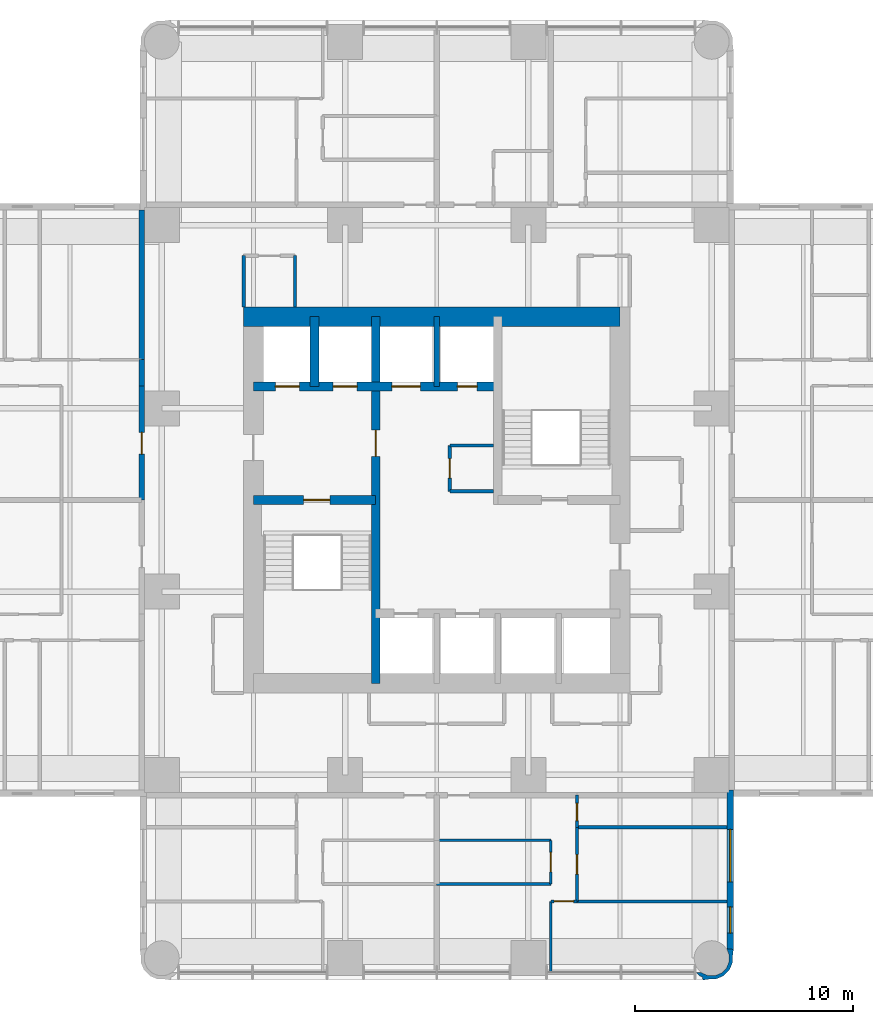
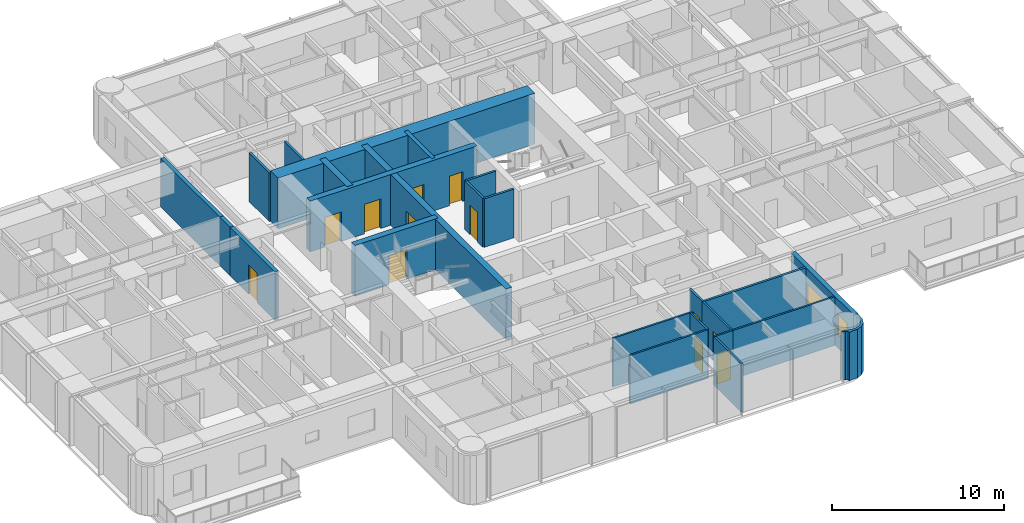
# One storey, part 8 of 15: 25 walls, 12 doors, 2 windows, 14 openings.
"""IFC4 building model written with IfcOpenShell, lengths in metres."""

from ifc_helpers import new_model, si_unit, direction, frame, frame_2d, origin, place, context, subcontext, project, spatial, polyline, rectangle, outline, extrude, material, layer, layer_set, type_object, element, fill, save


model = new_model("IFC4")

# Units and contexts
model_context = context("Model", 3, precision=1e-05, world=origin(), true_north=direction((0.0, 1.0)))
body_context = subcontext(model_context, "Body", "Model", "MODEL_VIEW")
ifc_project = project(units=[si_unit("LENGTHUNIT", "METRE"), si_unit("AREAUNIT", "SQUARE_METRE"), si_unit("VOLUMEUNIT", "CUBIC_METRE"), si_unit("PLANEANGLEUNIT", "RADIAN"), si_unit("MASSUNIT", "GRAM", prefix="KILO")], contexts=[model_context])

# Site, building, storey
site_placement = place(None, origin())
site = spatial("IfcSite", under=ifc_project, at=site_placement, CompositionType="ELEMENT")
building_placement = place(site_placement, origin())
building = spatial("IfcBuilding", under=site, at=building_placement, Name="Torre Alcanfor", CompositionType="ELEMENT")
storey_placement = place(building_placement, frame((0.0, 0.0, 152.10009765625)))
storey = spatial("IfcBuildingStorey", under=building, at=storey_placement, Name="L39", CompositionType="ELEMENT", Elevation=152.10009765625)

# Wall, opening, door
ifc_material_1 = material(Name="Concrete block masonry, hollow blocks NMX-C-404 9 MPa", Category="masonry")
ifc_layer_1 = layer(ifc_material_1, 0.25)
ifc_layer_set_1 = layer_set([ifc_layer_1], Name="Apartment entrance wall 250 EI 60")
wall_type_1 = type_object("IfcWallType", Name="Apartment entrance wall 250 EI 60", PredefinedType="PARTITIONING", material=ifc_layer_set_1)
wall_1_placement = place(storey_placement, frame((15.875, 29.39990234375, 0.0), z_axis=(0.0, 0.0, 1.0), x_axis=(0.0, 1.0, 0.0)))
wall_1 = element("IfcWall", 1, at=wall_1_placement, inside=storey, type_object=wall_type_1, Name="Partition L39-CORR / L39-W2-ZAG", PredefinedType="PARTITIONING", context=body_context, shape_type="SweptSolid", body=[
    extrude(rectangle(XDim=5.22900390625, YDim=0.25, at=frame_2d((2.614501953125, 0.0))), origin(), (0.0, 0.0, 1.0), 3.449951171875),
])
opening_1_placement = place(wall_1_placement, frame((2.10009765625, 0.0, 0.0)))
opening_1 = element("IfcOpeningElement", 2, at=opening_1_placement, cuts=wall_1, Name="Opening D-A1", PredefinedType="OPENING", context=body_context, shape_type="SweptSolid", body=[
    extrude(rectangle(XDim=1.0, YDim=2.10009765625, at=frame_2d((0.5, 1.050048828125))), frame((0.0, 0.135009765625, 0.0), z_axis=(0.0, -1.0, 0.0), x_axis=(1.0, 0.0, 0.0)), (0.0, 0.0, 1.0), 0.27001953125),
])
ifc_material_2 = material(Name="Galvanised steel sheet ASTM A653", Category="steel")
door_type_1 = type_object("IfcDoorType", Name="Apartment entrance door FD60 1000x2100", OperationType="SINGLE_SWING_LEFT", PredefinedType="DOOR", material=ifc_material_2)
door_1_placement = place(opening_1_placement, origin())
door_1 = element("IfcDoor", 3, at=door_1_placement, inside=storey, type_object=door_type_1, Name="Apartment entrance L39-W2", OperationType="SINGLE_SWING_LEFT", OverallHeight=2.10009765625, OverallWidth=1.0, PredefinedType="DOOR", context=body_context, shape_type="SweptSolid", body=[
    extrude(rectangle(XDim=1.0, YDim=2.10009765625, at=frame_2d((0.5, 1.050048828125))), frame((0.0, 0.02490234375, 0.0), z_axis=(0.0, -1.0, 0.0), x_axis=(1.0, 0.0, 0.0)), (0.0, 0.0, 1.0), 0.050048828125),
])
fill(opening_1, door_1)

# Walls
wall_2_placement = place(storey_placement, frame((15.875, 34.62890625, 0.0), z_axis=(0.0, 0.0, 1.0), x_axis=(0.0, 1.0, 0.0)))
element("IfcWall", 4, at=wall_2_placement, inside=storey, type_object=wall_type_1, Name="Partition L39-CORR / L39-W2-HALL", PredefinedType="PARTITIONING", context=body_context, shape_type="SweptSolid", body=[
    extrude(rectangle(XDim=1.2001953125, YDim=0.25, at=frame_2d((0.60009765625, 0.0))), origin(), (0.0, 0.0, 1.0), 3.449951171875),
])
wall_3_placement = place(storey_placement, frame((15.875, 35.8291015625, 0.0), z_axis=(0.0, 0.0, 1.0), x_axis=(0.0, 1.0, 0.0)))
element("IfcWall", 5, at=wall_3_placement, inside=storey, type_object=wall_type_1, Name="Partition L39-CORR / L39-W2-BED2", PredefinedType="PARTITIONING", context=body_context, shape_type="SweptSolid", body=[
    extrude(rectangle(XDim=6.870849609375, YDim=0.25, at=frame_2d((3.435546875, 0.0))), origin(), (0.0, 0.0, 1.0), 3.449951171875),
])
ifc_material_3 = material(Name="Gypsum board on steel studs", Category="steel")
ifc_layer_2 = layer(ifc_material_3, 0.1201171875)
ifc_layer_set_2 = layer_set([ifc_layer_2], Name="Apartment partition 120")
wall_type_2 = type_object("IfcWallType", Name="Apartment partition 120", PredefinedType="PARTITIONING", material=ifc_layer_set_2)
wall_4_placement = place(storey_placement, frame((29.39990234375, 11.800048828125, 0.0), z_axis=(0.0, 0.0, 1.0), x_axis=(1.0, 0.0, 0.0)))
element("IfcWall", 6, at=wall_4_placement, inside=storey, type_object=wall_type_2, Name="Partition L39-S1-KITCHEN / L39-S1-LIVING", PredefinedType="PARTITIONING", context=body_context, shape_type="SweptSolid", body=[
    extrude(rectangle(XDim=5.22900390625, YDim=0.1201171875, at=frame_2d((2.614501953125, 0.0))), origin(), (0.0, 0.0, 1.0), 3.449951171875),
])

# Wall, opening, door
wall_5_placement = place(storey_placement, frame((34.62890625, 11.800048828125, 0.0), z_axis=(0.0, 0.0, 1.0), x_axis=(0.0, 1.0, 0.0)))
wall_5 = element("IfcWall", 7, at=wall_5_placement, inside=storey, type_object=wall_type_2, Name="Partition L39-S1-KITCHEN / L39-S1-LIVING", PredefinedType="PARTITIONING", context=body_context, shape_type="SweptSolid", body=[
    extrude(rectangle(XDim=2.0, YDim=0.1201171875, at=frame_2d((1.0, 0.0))), origin(), (0.0, 0.0, 1.0), 3.449951171875),
])
opening_2_placement = place(wall_5_placement, frame((0.550048828125, 0.0, 0.0)))
opening_2 = element("IfcOpeningElement", 8, at=opening_2_placement, cuts=wall_5, Name="Opening D-R1", PredefinedType="OPENING", context=body_context, shape_type="SweptSolid", body=[
    extrude(rectangle(XDim=0.89990234375, YDim=2.10009765625, at=frame_2d((0.449951171875, 1.050048828125))), frame((0.0, 0.070068359375, 0.0), z_axis=(0.0, -1.0, 0.0), x_axis=(1.0, 0.0, 0.0)), (0.0, 0.0, 1.0), 0.14013671875),
])
ifc_material_4 = material(Name="Timber", Category="wood")
door_type_2 = type_object("IfcDoorType", Name="Internal door 900x2100", OperationType="SINGLE_SWING_LEFT", PredefinedType="DOOR", material=ifc_material_4)
door_2_placement = place(opening_2_placement, origin())
door_2 = element("IfcDoor", 9, at=door_2_placement, inside=storey, type_object=door_type_2, Name="Door L39-S1 kitchen", OperationType="SINGLE_SWING_LEFT", OverallHeight=2.10009765625, OverallWidth=0.89990234375, PredefinedType="DOOR", context=body_context, shape_type="SweptSolid", body=[
    extrude(rectangle(XDim=0.89990234375, YDim=2.10009765625, at=frame_2d((0.449951171875, 1.050048828125))), frame((0.0, 0.02490234375, 0.0), z_axis=(0.0, -1.0, 0.0), x_axis=(1.0, 0.0, 0.0)), (0.0, 0.0, 1.0), 0.050048828125),
])
fill(opening_2, door_2)

# Wall
wall_6_placement = place(storey_placement, frame((34.62890625, 13.800048828125, 0.0), z_axis=(0.0, 0.0, 1.0), x_axis=(-1.0, 0.0, 0.0)))
element("IfcWall", 10, at=wall_6_placement, inside=storey, type_object=wall_type_2, Name="Partition L39-S1-KITCHEN / L39-S1-LIVING", PredefinedType="PARTITIONING", context=body_context, shape_type="SweptSolid", body=[
    extrude(rectangle(XDim=5.22900390625, YDim=0.1201171875, at=frame_2d((2.614501953125, 0.0))), origin(), (0.0, 0.0, 1.0), 3.449951171875),
])

# Wall, opening, door
wall_7_placement = place(storey_placement, frame((35.8291015625, 14.39990234375, 0.0), z_axis=(0.0, 0.0, 1.0), x_axis=(0.0, -1.0, 0.0)))
wall_7 = element("IfcWall", 11, at=wall_7_placement, inside=storey, type_object=wall_type_2, Name="Partition L39-S1-LIVING / L39-S1-STUDY", PredefinedType="PARTITIONING", context=body_context, shape_type="SweptSolid", body=[
    extrude(rectangle(XDim=3.39990234375, YDim=0.1201171875, at=frame_2d((1.699951171875, 0.0))), origin(), (0.0, 0.0, 1.0), 3.449951171875),
])
opening_3_placement = place(wall_7_placement, frame((1.25, 0.0, 0.0)))
opening_3 = element("IfcOpeningElement", 12, at=opening_3_placement, cuts=wall_7, Name="Opening D-R1", PredefinedType="OPENING", context=body_context, shape_type="SweptSolid", body=[
    extrude(rectangle(XDim=0.89990234375, YDim=2.10009765625, at=frame_2d((0.449951171875, 1.050048828125))), frame((0.0, 0.070068359375, 0.0), z_axis=(0.0, -1.0, 0.0), x_axis=(1.0, 0.0, 0.0)), (0.0, 0.0, 1.0), 0.14013671875),
])
door_3_placement = place(opening_3_placement, origin())
door_3 = element("IfcDoor", 13, at=door_3_placement, inside=storey, type_object=door_type_2, Name="Door L39-S1 study", OperationType="SINGLE_SWING_LEFT", OverallHeight=2.10009765625, OverallWidth=0.89990234375, PredefinedType="DOOR", context=body_context, shape_type="SweptSolid", body=[
    extrude(rectangle(XDim=0.89990234375, YDim=2.10009765625, at=frame_2d((0.449951171875, 1.050048828125))), frame((0.0, 0.02490234375, 0.0), z_axis=(0.0, -1.0, 0.0), x_axis=(1.0, 0.0, 0.0)), (0.0, 0.0, 1.0), 0.050048828125),
])
fill(opening_3, door_3)

wall_8_placement = place(storey_placement, frame((35.8291015625, 11.0, 0.0), z_axis=(0.0, 0.0, 1.0), x_axis=(-1.0, 0.0, 0.0)))
wall_8 = element("IfcWall", 14, at=wall_8_placement, inside=storey, type_object=wall_type_2, Name="Partition L39-S1-LIVING / L39-S1-MASTER", PredefinedType="PARTITIONING", context=body_context, shape_type="SweptSolid", body=[
    extrude(rectangle(XDim=1.2001953125, YDim=0.1201171875, at=frame_2d((0.60009765625, 0.0))), origin(), (0.0, 0.0, 1.0), 3.449951171875),
])
opening_4_placement = place(wall_8_placement, frame((0.14892578125, 0.0, 0.0)))
opening_4 = element("IfcOpeningElement", 15, at=opening_4_placement, cuts=wall_8, Name="Opening D-R1", PredefinedType="OPENING", context=body_context, shape_type="SweptSolid", body=[
    extrude(rectangle(XDim=0.89990234375, YDim=2.10009765625, at=frame_2d((0.449951171875, 1.050048828125))), frame((0.0, 0.070068359375, 0.0), z_axis=(0.0, -1.0, 0.0), x_axis=(1.0, 0.0, 0.0)), (0.0, 0.0, 1.0), 0.14013671875),
])
door_4_placement = place(opening_4_placement, origin())
door_4 = element("IfcDoor", 16, at=door_4_placement, inside=storey, type_object=door_type_2, Name="Door L39-S1 master", OperationType="SINGLE_SWING_RIGHT", OverallHeight=2.10009765625, OverallWidth=0.89990234375, PredefinedType="DOOR", context=body_context, shape_type="SweptSolid", body=[
    extrude(rectangle(XDim=0.89990234375, YDim=2.10009765625, at=frame_2d((0.449951171875, 1.050048828125))), frame((0.0, 0.02490234375, 0.0), z_axis=(0.0, -1.0, 0.0), x_axis=(1.0, 0.0, 0.0)), (0.0, 0.0, 1.0), 0.050048828125),
])
fill(opening_4, door_4)

# Walls
wall_9_placement = place(storey_placement, frame((34.62890625, 11.0, 0.0), z_axis=(0.0, 0.0, 1.0), x_axis=(0.0, -1.0, 0.0)))
element("IfcWall", 17, at=wall_9_placement, inside=storey, type_object=wall_type_2, Name="Partition L39-S1-LIVING / L39-S1-MASTER", PredefinedType="PARTITIONING", context=body_context, shape_type="SweptSolid", body=[
    extrude(rectangle(XDim=3.25, YDim=0.1201171875, at=frame_2d((1.625, 0.0))), origin(), (0.0, 0.0, 1.0), 3.449951171875),
])
wall_10_placement = place(storey_placement, frame((35.8291015625, 11.0, 0.0), z_axis=(0.0, 0.0, 1.0), x_axis=(1.0, 0.0, 0.0)))
element("IfcWall", 18, at=wall_10_placement, inside=storey, type_object=wall_type_2, Name="Partition L39-S1-STUDY / L39-S1-MASTER", PredefinedType="PARTITIONING", context=body_context, shape_type="SweptSolid", body=[
    extrude(rectangle(XDim=6.870849609375, YDim=0.1201171875, at=frame_2d((3.435546875, 0.0))), origin(), (0.0, 0.0, 1.0), 3.449951171875),
])

# Wall, opening, door
ifc_material_5 = material(Name="Concrete f'c 70 MPa", Category="concrete")
ifc_layer_3 = layer(ifc_material_5, 0.39990234375)
ifc_layer_set_3 = layer_set([ifc_layer_3], Name="Core inner wall 400 f'c70")
wall_type_3 = type_object("IfcWallType", Name="Core inner wall 400 f'c70", PredefinedType="SHEAR", material=ifc_layer_set_3)
wall_11_placement = place(storey_placement, frame((26.60009765625, 21.0, 0.0), z_axis=(0.0, 0.0, 1.0), x_axis=(0.0, 1.0, 0.0)))
wall_11 = element("IfcWall", 19, at=wall_11_placement, inside=storey, type_object=wall_type_3, Name="Core wall X266 L39", PredefinedType="SHEAR", context=body_context, shape_type="SweptSolid", body=[
    extrude(rectangle(XDim=16.800048828125, YDim=0.39990234375, at=frame_2d((8.39990234375, 0.0))), origin(), (0.0, 0.0, 1.0), 3.599853515625),
])
opening_5_placement = place(wall_11_placement, frame((10.39990234375, 0.0, 0.0)))
opening_5 = element("IfcOpeningElement", 20, at=opening_5_placement, cuts=wall_11, Name="Opening D-L1", PredefinedType="OPENING", context=body_context, shape_type="SweptSolid", body=[
    extrude(rectangle(XDim=1.199951171875, YDim=2.10009765625, at=frame_2d((0.60009765625, 1.050048828125))), frame((0.0, 0.2099609375, 0.0), z_axis=(0.0, -1.0, 0.0), x_axis=(1.0, 0.0, 0.0)), (0.0, 0.0, 1.0), 0.419921875),
])
ifc_material_6 = material(Name="Galvanised steel sheet ASTM A653", Category="steel")
door_type_3 = type_object("IfcDoorType", Name="Lobby door FD120 1200x2100", OperationType="SINGLE_SWING_LEFT", PredefinedType="DOOR", material=ifc_material_6)
door_5_placement = place(opening_5_placement, origin())
door_5 = element("IfcDoor", 21, at=door_5_placement, inside=storey, type_object=door_type_3, Name="Lift lobby door L39", OperationType="SINGLE_SWING_LEFT", OverallHeight=2.10009765625, OverallWidth=1.199951171875, PredefinedType="DOOR", context=body_context, shape_type="SweptSolid", body=[
    extrude(rectangle(XDim=1.199951171875, YDim=2.10009765625, at=frame_2d((0.60009765625, 1.050048828125))), frame((0.0, 0.02490234375, 0.0), z_axis=(0.0, -1.0, 0.0), x_axis=(1.0, 0.0, 0.0)), (0.0, 0.0, 1.0), 0.050048828125),
])
fill(opening_5, door_5)

wall_12_placement = place(storey_placement, frame((21.0, 29.39990234375, 0.0), z_axis=(0.0, 0.0, 1.0), x_axis=(1.0, 0.0, 0.0)))
wall_12 = element("IfcWall", 22, at=wall_12_placement, inside=storey, type_object=wall_type_3, Name="Core wall Y294W L39", PredefinedType="SHEAR", context=body_context, shape_type="SweptSolid", body=[
    extrude(rectangle(XDim=5.60009765625, YDim=0.39990234375, at=frame_2d((2.800048828125, 0.0))), origin(), (0.0, 0.0, 1.0), 3.599853515625),
])
opening_6_placement = place(wall_12_placement, frame((2.300048828125, 0.0, 0.0)))
opening_6 = element("IfcOpeningElement", 23, at=opening_6_placement, cuts=wall_12, Name="Opening D-S2", PredefinedType="OPENING", context=body_context, shape_type="SweptSolid", body=[
    extrude(rectangle(XDim=1.199951171875, YDim=2.10009765625, at=frame_2d((0.60009765625, 1.050048828125))), frame((0.0, 0.2099609375, 0.0), z_axis=(0.0, -1.0, 0.0), x_axis=(1.0, 0.0, 0.0)), (0.0, 0.0, 1.0), 0.419921875),
])
ifc_material_7 = material(Name="Galvanised steel sheet ASTM A653", Category="steel")
door_type_4 = type_object("IfcDoorType", Name="Stair enclosure door FD120 1200x2100", OperationType="SINGLE_SWING_LEFT", PredefinedType="DOOR", material=ifc_material_7)
door_6_placement = place(opening_6_placement, frame((1.199951171875, 0.0, 0.0), z_axis=(0.0, 0.0, 1.0), x_axis=(-1.0, 0.0, 0.0)))
door_6 = element("IfcDoor", 24, at=door_6_placement, inside=storey, type_object=door_type_4, Name="Stair S1 door L39", OperationType="SINGLE_SWING_LEFT", OverallHeight=2.10009765625, OverallWidth=1.199951171875, PredefinedType="DOOR", context=body_context, shape_type="SweptSolid", body=[
    extrude(rectangle(XDim=1.199951171875, YDim=2.10009765625, at=frame_2d((0.599853515625, 1.050048828125))), frame((0.0, 0.025146484375, 0.0), z_axis=(0.0, -1.0, 0.0), x_axis=(1.0, 0.0, 0.0)), (0.0, 0.0, 1.0), 0.050048828125),
])
fill(opening_6, door_6)

# Wall, openings, doors
wall_13_placement = place(storey_placement, frame((21.0, 34.60009765625, 0.0), z_axis=(0.0, 0.0, 1.0), x_axis=(1.0, 0.0, 0.0)))
wall_13 = element("IfcWall", 25, at=wall_13_placement, inside=storey, type_object=wall_type_3, Name="Core wall Y346 L39", PredefinedType="SHEAR", context=body_context, shape_type="SweptSolid", body=[
    extrude(rectangle(XDim=11.199951171875, YDim=0.39990234375, at=frame_2d((5.60009765625, 0.0))), origin(), (0.0, 0.0, 1.0), 3.599853515625),
])
opening_7_placement = place(wall_13_placement, frame((9.35009765625, 0.0, 0.0)))
opening_7 = element("IfcOpeningElement", 26, at=opening_7_placement, cuts=wall_13, Name="Opening D-Q1", PredefinedType="OPENING", context=body_context, shape_type="SweptSolid", body=[
    extrude(rectangle(XDim=0.89990234375, YDim=2.10009765625, at=frame_2d((0.449951171875, 1.050048828125))), frame((0.0, 0.2099609375, 0.0), z_axis=(0.0, -1.0, 0.0), x_axis=(1.0, 0.0, 0.0)), (0.0, 0.0, 1.0), 0.419921875),
])
opening_8_placement = place(wall_13_placement, frame((1.0, 0.0, 0.0)))
opening_8 = element("IfcOpeningElement", 27, at=opening_8_placement, cuts=wall_13, Name="Opening LD2", PredefinedType="OPENING", context=body_context, shape_type="SweptSolid", body=[
    extrude(rectangle(XDim=1.10009765625, YDim=2.10009765625, at=frame_2d((0.550048828125, 1.050048828125))), frame((0.0, 0.2099609375, 0.0), z_axis=(0.0, -1.0, 0.0), x_axis=(1.0, 0.0, 0.0)), (0.0, 0.0, 1.0), 0.419921875),
])
opening_9_placement = place(wall_13_placement, frame((3.64990234375, 0.0, 0.0)))
opening_9 = element("IfcOpeningElement", 28, at=opening_9_placement, cuts=wall_13, Name="Opening LD2", PredefinedType="OPENING", context=body_context, shape_type="SweptSolid", body=[
    extrude(rectangle(XDim=1.10009765625, YDim=2.10009765625, at=frame_2d((0.550048828125, 1.050048828125))), frame((0.0, 0.2099609375, 0.0), z_axis=(0.0, -1.0, 0.0), x_axis=(1.0, 0.0, 0.0)), (0.0, 0.0, 1.0), 0.419921875),
])
opening_10_placement = place(wall_13_placement, frame((6.35009765625, 0.0, 0.0)))
opening_10 = element("IfcOpeningElement", 29, at=opening_10_placement, cuts=wall_13, Name="Opening LD3", PredefinedType="OPENING", context=body_context, shape_type="SweptSolid", body=[
    extrude(rectangle(XDim=1.300048828125, YDim=2.10009765625, at=frame_2d((0.64990234375, 1.050048828125))), frame((0.0, 0.2099609375, 0.0), z_axis=(0.0, -1.0, 0.0), x_axis=(1.0, 0.0, 0.0)), (0.0, 0.0, 1.0), 0.419921875),
])
ifc_material_8 = material(Name="Galvanised steel sheet ASTM A653", Category="steel")
door_type_5 = type_object("IfcDoorType", Name="Firefighting lift landing door 1100x2100", OperationType="DOUBLE_DOOR_SLIDING", PredefinedType="DOOR", material=ifc_material_8)
door_7_placement = place(opening_8_placement, origin())
door_7 = element("IfcDoor", 30, at=door_7_placement, inside=storey, type_object=door_type_5, Name="Lift landing door FL1 L39", OperationType="DOUBLE_DOOR_SLIDING", OverallHeight=2.10009765625, OverallWidth=1.10009765625, PredefinedType="DOOR", context=body_context, shape_type="SweptSolid", body=[
    extrude(rectangle(XDim=1.10009765625, YDim=2.10009765625, at=frame_2d((0.550048828125, 1.050048828125))), frame((0.0, 0.02490234375, 0.0), z_axis=(0.0, -1.0, 0.0), x_axis=(1.0, 0.0, 0.0)), (0.0, 0.0, 1.0), 0.050048828125),
])
fill(opening_8, door_7)
door_8_placement = place(opening_9_placement, origin())
door_8 = element("IfcDoor", 31, at=door_8_placement, inside=storey, type_object=door_type_5, Name="Lift landing door FL2 L39", OperationType="DOUBLE_DOOR_SLIDING", OverallHeight=2.10009765625, OverallWidth=1.10009765625, PredefinedType="DOOR", context=body_context, shape_type="SweptSolid", body=[
    extrude(rectangle(XDim=1.10009765625, YDim=2.10009765625, at=frame_2d((0.550048828125, 1.050048828125))), frame((0.0, 0.02490234375, 0.0), z_axis=(0.0, -1.0, 0.0), x_axis=(1.0, 0.0, 0.0)), (0.0, 0.0, 1.0), 0.050048828125),
])
fill(opening_9, door_8)
ifc_material_9 = material(Name="Galvanised steel sheet ASTM A653", Category="steel")
door_type_6 = type_object("IfcDoorType", Name="Riser access door FD120 900x2100", OperationType="SINGLE_SWING_LEFT", PredefinedType="DOOR", material=ifc_material_9)
door_9_placement = place(opening_7_placement, origin())
door_9 = element("IfcDoor", 32, at=door_9_placement, inside=storey, type_object=door_type_6, Name="Riser door L39", OperationType="SINGLE_SWING_LEFT", OverallHeight=2.10009765625, OverallWidth=0.89990234375, PredefinedType="DOOR", context=body_context, shape_type="SweptSolid", body=[
    extrude(rectangle(XDim=0.89990234375, YDim=2.10009765625, at=frame_2d((0.449951171875, 1.050048828125))), frame((0.0, 0.02490234375, 0.0), z_axis=(0.0, -1.0, 0.0), x_axis=(1.0, 0.0, 0.0)), (0.0, 0.0, 1.0), 0.050048828125),
])
fill(opening_7, door_9)
ifc_material_10 = material(Name="Galvanised steel sheet ASTM A653", Category="steel")
door_type_7 = type_object("IfcDoorType", Name="Service lift landing door 1300x2100", OperationType="DOUBLE_DOOR_SLIDING", PredefinedType="DOOR", material=ifc_material_10)
door_10_placement = place(opening_10_placement, origin())
door_10 = element("IfcDoor", 33, at=door_10_placement, inside=storey, type_object=door_type_7, Name="Lift landing door SL1 L39", OperationType="DOUBLE_DOOR_SLIDING", OverallHeight=2.10009765625, OverallWidth=1.300048828125, PredefinedType="DOOR", context=body_context, shape_type="SweptSolid", body=[
    extrude(rectangle(XDim=1.300048828125, YDim=2.10009765625, at=frame_2d((0.64990234375, 1.050048828125))), frame((0.0, 0.02490234375, 0.0), z_axis=(0.0, -1.0, 0.0), x_axis=(1.0, 0.0, 0.0)), (0.0, 0.0, 1.0), 0.050048828125),
])
fill(opening_10, door_10)

# Walls
wall_14_placement = place(storey_placement, frame((23.800048828125, 34.60009765625, 0.0), z_axis=(0.0, 0.0, 1.0), x_axis=(0.0, 1.0, 0.0)))
element("IfcWall", 34, at=wall_14_placement, inside=storey, type_object=wall_type_3, Name="Core wall X238 L39", PredefinedType="SHEAR", context=body_context, shape_type="SweptSolid", body=[
    extrude(rectangle(XDim=3.199951171875, YDim=0.39990234375, at=frame_2d((1.60009765625, 0.0))), origin(), (0.0, 0.0, 1.0), 3.599853515625),
])
ifc_material_11 = material(Name="Concrete f'c 70 MPa", Category="concrete")
ifc_layer_4 = layer(ifc_material_11, 0.25)
ifc_layer_set_4 = layer_set([ifc_layer_4], Name="Core shaft wall 250 f'c70")
wall_type_4 = type_object("IfcWallType", Name="Core shaft wall 250 f'c70", PredefinedType="SHEAR", material=ifc_layer_set_4)
wall_15_placement = place(storey_placement, frame((29.39990234375, 34.60009765625, 0.0), z_axis=(0.0, 0.0, 1.0), x_axis=(0.0, 1.0, 0.0)))
element("IfcWall", 35, at=wall_15_placement, inside=storey, type_object=wall_type_4, Name="Core wall X294N L39", PredefinedType="SHEAR", context=body_context, shape_type="SweptSolid", body=[
    extrude(rectangle(XDim=3.199951171875, YDim=0.25, at=frame_2d((1.60009765625, 0.0))), origin(), (0.0, 0.0, 1.0), 3.599853515625),
])
ifc_material_12 = material(Name="Concrete f'c 70 MPa", Category="concrete")
ifc_layer_5 = layer(ifc_material_12, 0.89990234375)
ifc_layer_set_5 = layer_set([ifc_layer_5], Name="Core wall 900 f'c70")
wall_type_5 = type_object("IfcWallType", Name="Core wall 900 f'c70", PredefinedType="SHEAR", material=ifc_layer_set_5)
wall_16_placement = place(storey_placement, frame((37.800048828125, 37.800048828125, 0.0), z_axis=(0.0, 0.0, 1.0), x_axis=(-1.0, 0.0, 0.0)))
element("IfcWall", 36, at=wall_16_placement, inside=storey, type_object=wall_type_5, Name="Core wall OUT-N L39", PredefinedType="SHEAR", context=body_context, shape_type="SweptSolid", body=[
    extrude(rectangle(XDim=17.25, YDim=0.89990234375, at=frame_2d((8.625, 0.0))), origin(), (0.0, 0.0, 1.0), 3.599853515625),
])

# Wall, openings, windows
ifc_material_13 = material(Name="Limestone cladding", Category="masonry")
ifc_layer_6 = layer(ifc_material_13, 0.0400390625, Name="Facing")
ifc_material_14 = material(Name="Ventilated air cavity")
ifc_layer_7 = layer(ifc_material_14, 0.02001953125, ventilated=True, Name="Ventilated joint")
ifc_material_15 = material(Name="Mineral wool insulation", Category="insulation")
ifc_layer_8 = layer(ifc_material_15, 0.10009765625, Name="Insulation")
ifc_material_16 = material(Name="Concrete f'c 35 MPa", Category="concrete")
ifc_layer_9 = layer(ifc_material_16, 0.139892578125, Name="Backing")
ifc_layer_set_6 = layer_set([ifc_layer_6, ifc_layer_7, ifc_layer_8, ifc_layer_9], Name="External wall stone-clad 300")
wall_type_6 = type_object("IfcWallType", Name="External wall stone-clad 300", PredefinedType="SOLIDWALL", material=ifc_layer_set_6)
wall_17_placement = place(storey_placement, frame((42.85009765625, 8.800048828125, 0.0), z_axis=(0.0, 0.0, 1.0), x_axis=(0.0, 1.0, 0.0)))
wall_17 = element("IfcWall", 37, at=wall_17_placement, inside=storey, type_object=wall_type_6, Name="External wall L39 6", PredefinedType="SOLIDWALL", context=body_context, shape_type="SweptSolid", body=[
    extrude(rectangle(XDim=7.300048828125, YDim=0.300048828125, at=frame_2d((3.64990234375, 0.0))), origin(), (0.0, 0.0, 1.0), 3.449951171875),
])
opening_11_placement = place(wall_17_placement, frame((3.10009765625, 0.0, 0.89990234375)))
opening_11 = element("IfcOpeningElement", 38, at=opening_11_placement, cuts=wall_17, Name="Opening W1", PredefinedType="OPENING", context=body_context, shape_type="SweptSolid", body=[
    extrude(rectangle(XDim=2.39990234375, YDim=1.5, at=frame_2d((1.199951171875, 0.75))), frame((0.0, 0.159912109375, 0.0), z_axis=(0.0, -1.0, 0.0), x_axis=(1.0, 0.0, 0.0)), (0.0, 0.0, 1.0), 0.320068359375),
])
opening_12_placement = place(wall_17_placement, frame((0.75, 0.0, 0.89990234375)))
opening_12 = element("IfcOpeningElement", 39, at=opening_12_placement, cuts=wall_17, Name="Opening W4", PredefinedType="OPENING", context=body_context, shape_type="SweptSolid", body=[
    extrude(rectangle(XDim=1.199951171875, YDim=1.5, at=frame_2d((0.60009765625, 0.75))), frame((0.0, 0.159912109375, 0.0), z_axis=(0.0, -1.0, 0.0), x_axis=(1.0, 0.0, 0.0)), (0.0, 0.0, 1.0), 0.320068359375),
])
ifc_material_17 = material(Name="Aluminium frame with clear double glazing", Category="aluminium")
window_type_1 = type_object("IfcWindowType", Name="Window bedroom 1200x1500", PartitioningType="SINGLE_PANEL", PredefinedType="WINDOW", material=ifc_material_17)
window_1_placement = place(opening_12_placement, origin())
window_1 = element("IfcWindow", 40, at=window_1_placement, inside=storey, type_object=window_type_1, Name="Window W4 L39-S1", OverallHeight=1.5, OverallWidth=1.199951171875, PartitioningType="SINGLE_PANEL", PredefinedType="WINDOW", context=body_context, shape_type="SweptSolid", body=[
    extrude(rectangle(XDim=1.199951171875, YDim=1.5, at=frame_2d((0.60009765625, 0.75))), frame((0.0, 0.030029296875, 0.0), z_axis=(0.0, -1.0, 0.0), x_axis=(1.0, 0.0, 0.0)), (0.0, 0.0, 1.0), 0.06005859375),
])
fill(opening_12, window_1)
ifc_material_18 = material(Name="Aluminium frame with clear double glazing", Category="aluminium")
window_type_2 = type_object("IfcWindowType", Name="Window bedroom 2400x1500", PartitioningType="SINGLE_PANEL", PredefinedType="WINDOW", material=ifc_material_18)
window_2_placement = place(opening_11_placement, origin())
window_2 = element("IfcWindow", 41, at=window_2_placement, inside=storey, type_object=window_type_2, Name="Window W1 L39-S1", OverallHeight=1.5, OverallWidth=2.39990234375, PartitioningType="SINGLE_PANEL", PredefinedType="WINDOW", context=body_context, shape_type="SweptSolid", body=[
    extrude(rectangle(XDim=2.39990234375, YDim=1.5, at=frame_2d((1.199951171875, 0.75))), frame((0.0, 0.030029296875, 0.0), z_axis=(0.0, -1.0, 0.0), x_axis=(1.0, 0.0, 0.0)), (0.0, 0.0, 1.0), 0.06005859375),
])
fill(opening_11, window_2)

# Walls
ifc_material_19 = material(Name="Concrete block masonry, hollow blocks NMX-C-404 9 MPa", Category="masonry")
ifc_layer_10 = layer(ifc_material_19, 0.14990234375)
ifc_layer_set_7 = layer_set([ifc_layer_10], Name="Residents' room partition 150")
wall_type_7 = type_object("IfcWallType", Name="Residents' room partition 150", PredefinedType="PARTITIONING", material=ifc_layer_set_7)
for number, where, z_axis, x_axis, name in (
    (42, (22.89990234375, 38.25, 0.0), (0.0, 0.0, 1.0), (0.0, 1.0, 0.0), "Partition L39-CORR / L39-G01"),
    (43, (20.550048828125, 40.60009765625, 0.0), (0.0, 0.0, 1.0), (0.0, -1.0, 0.0), "Partition L39-CORR / L39-G01"),
):
    element("IfcWall", number, at=place(storey_placement, frame(where, z_axis=z_axis, x_axis=x_axis)), inside=storey, type_object=wall_type_7, Name=name, PredefinedType="PARTITIONING", context=body_context, shape_type="SweptSolid", body=[
        extrude(rectangle(XDim=2.35009765625, YDim=0.14990234375, at=frame_2d((1.175048828125, 0.0))), origin(), (0.0, 0.0, 1.0), 3.449951171875),
    ])
ifc_layer_11 = layer(ifc_material_13, 0.0400390625, Name="Facing")
ifc_layer_12 = layer(ifc_material_14, 0.02001953125, ventilated=True, Name="Ventilated joint")
ifc_layer_13 = layer(ifc_material_15, 0.10009765625, Name="Insulation")
ifc_layer_14 = layer(ifc_material_16, 0.139892578125, Name="Backing")
ifc_layer_set_8 = layer_set([ifc_layer_11, ifc_layer_12, ifc_layer_13, ifc_layer_14], Name="Rounded corner pier stone-clad 300")
wall_type_8 = type_object("IfcWallType", Name="Rounded corner pier stone-clad 300", PredefinedType="SOLIDWALL", material=ifc_layer_set_8)
wall_18_placement = place(storey_placement, frame((41.351928198, 7.804682488, 0.0), z_axis=(0.0, 0.0, 1.0), x_axis=(0.343276641956, -0.93923434088, 0.0)))
element("IfcWall", 44, at=wall_18_placement, inside=storey, type_object=wall_type_8, Name="Corner pier L39 16", PredefinedType="SOLIDWALL", context=body_context, shape_type="SweptSolid", body=[
    extrude(outline(polyline([(-0.3691376945080963, 1.8896116474277462), (-0.5092849006082865, 1.6213723434863179), (-0.4904818693699753, 1.614500106025285), (-0.47937395557818696, 1.6086207727425919), (-0.21134604487110653, 1.620093396259431), (0.08789731812884549, 1.5107242513003132), (0.3226193813038204, 1.29522875171589), (0.4568297522668325, 1.0059961170728082), (0.47018090116819644, 0.6876338955306306), (0.3608955639829935, 0.3886198377896824), (0.14540006439857034, 0.15389777461470747), (0.10805580570731482, 0.136354268630141), (0.030952653705484567, -0.07460656965335008), (0.24105149879401783, 0.023022242841209073), (0.33345144333490195, 0.12363819812835387), (0.46537419024986754, 0.09413770889727405), (0.5320249985235461, 0.39313792602006), (0.6305829406476248, 0.6628009106085226), (0.6143313238115743, 1.0443478664441104), (0.4534111053034037, 1.390650880852334), (0.17226586261802523, 1.6491069643028293), (-0.09739712197043726, 1.7476649064269079), (-0.3691376945080963, 1.8896116474277462)])), origin(), (0.0, 0.0, 1.0), 3.449951171875),
])

# Wall, opening, door
ifc_material_20 = material(Name="Cement board on steel studs", Category="steel")
ifc_layer_15 = layer(ifc_material_20, 0.14990234375)
ifc_layer_set_9 = layer_set([ifc_layer_15], Name="Wet area partition 150")
wall_type_9 = type_object("IfcWallType", Name="Wet area partition 150", PredefinedType="PARTITIONING", material=ifc_layer_set_9)
wall_19_placement = place(storey_placement, frame((35.8291015625, 15.875, 0.0), z_axis=(0.0, 0.0, 1.0), x_axis=(0.0, -1.0, 0.0)))
wall_19 = element("IfcWall", 45, at=wall_19_placement, inside=storey, type_object=wall_type_9, Name="Partition L39-S1-LIVING / L39-S1-BATH", PredefinedType="PARTITIONING", context=body_context, shape_type="SweptSolid", body=[
    extrude(rectangle(XDim=1.47509765625, YDim=0.14990234375, at=frame_2d((0.737548828125, 0.0))), origin(), (0.0, 0.0, 1.0), 3.449951171875),
])
opening_13_placement = place(wall_19_placement, frame((0.375, 0.0, 0.0)))
opening_13 = element("IfcOpeningElement", 46, at=opening_13_placement, cuts=wall_19, Name="Opening D-R2", PredefinedType="OPENING", context=body_context, shape_type="SweptSolid", body=[
    extrude(rectangle(XDim=0.800048828125, YDim=2.10009765625, at=frame_2d((0.39990234375, 1.050048828125))), frame((0.0, 0.0849609375, 0.0), z_axis=(0.0, -1.0, 0.0), x_axis=(1.0, 0.0, 0.0)), (0.0, 0.0, 1.0), 0.169921875),
])
ifc_material_21 = material(Name="Timber", Category="wood")
door_type_8 = type_object("IfcDoorType", Name="Bathroom door 800x2100", OperationType="SINGLE_SWING_LEFT", PredefinedType="DOOR", material=ifc_material_21)
door_11_placement = place(opening_13_placement, origin())
door_11 = element("IfcDoor", 47, at=door_11_placement, inside=storey, type_object=door_type_8, Name="Door L39-S1 bath", OperationType="SINGLE_SWING_RIGHT", OverallHeight=2.10009765625, OverallWidth=0.800048828125, PredefinedType="DOOR", context=body_context, shape_type="SweptSolid", body=[
    extrude(rectangle(XDim=0.800048828125, YDim=2.10009765625, at=frame_2d((0.39990234375, 1.050048828125))), frame((0.0, 0.02490234375, 0.0), z_axis=(0.0, -1.0, 0.0), x_axis=(1.0, 0.0, 0.0)), (0.0, 0.0, 1.0), 0.050048828125),
])
fill(opening_13, door_11)

# Walls
wall_20_placement = place(storey_placement, frame((35.8291015625, 14.39990234375, 0.0), z_axis=(0.0, 0.0, 1.0), x_axis=(1.0, 0.0, 0.0)))
element("IfcWall", 48, at=wall_20_placement, inside=storey, type_object=wall_type_9, Name="Partition L39-S1-BATH / L39-S1-STUDY", PredefinedType="PARTITIONING", context=body_context, shape_type="SweptSolid", body=[
    extrude(rectangle(XDim=6.870849609375, YDim=0.14990234375, at=frame_2d((3.435546875, 0.0))), origin(), (0.0, 0.0, 1.0), 3.449951171875),
])
wall_21_placement = place(storey_placement, frame((32.0, 29.800048828125, 0.0), z_axis=(0.0, 0.0, 1.0), x_axis=(-1.0, 0.0, 0.0)))
element("IfcWall", 49, at=wall_21_placement, inside=storey, type_object=wall_type_9, Name="Partition L39-LL / L39-CR1", PredefinedType="PARTITIONING", context=body_context, shape_type="SweptSolid", body=[
    extrude(rectangle(XDim=2.0, YDim=0.14990234375, at=frame_2d((1.0, 0.0))), origin(), (0.0, 0.0, 1.0), 3.449951171875),
])

# Wall, opening, door
wall_22_placement = place(storey_placement, frame((30.0, 29.800048828125, 0.0), z_axis=(0.0, 0.0, 1.0), x_axis=(0.0, 1.0, 0.0)))
wall_22 = element("IfcWall", 50, at=wall_22_placement, inside=storey, type_object=wall_type_9, Name="Partition L39-LL / L39-CR1", PredefinedType="PARTITIONING", context=body_context, shape_type="SweptSolid", body=[
    extrude(rectangle(XDim=2.099853515625, YDim=0.14990234375, at=frame_2d((1.0498046875, 0.0))), origin(), (0.0, 0.0, 1.0), 3.449951171875),
])
opening_14_placement = place(wall_22_placement, frame((0.60009765625, 0.0, 0.0)))
opening_14 = element("IfcOpeningElement", 51, at=opening_14_placement, cuts=wall_22, Name="Opening D-W1", PredefinedType="OPENING", context=body_context, shape_type="SweptSolid", body=[
    extrude(rectangle(XDim=0.89990234375, YDim=2.10009765625, at=frame_2d((0.449951171875, 1.050048828125))), frame((0.0, 0.0849609375, 0.0), z_axis=(0.0, -1.0, 0.0), x_axis=(1.0, 0.0, 0.0)), (0.0, 0.0, 1.0), 0.169921875),
])
ifc_material_22 = material(Name="Timber", Category="wood")
door_type_9 = type_object("IfcDoorType", Name="Toilet door 900x2100", OperationType="SINGLE_SWING_LEFT", PredefinedType="DOOR", material=ifc_material_22)
door_12_placement = place(opening_14_placement, frame((0.89990234375, 0.0, 0.0), z_axis=(0.0, 0.0, 1.0), x_axis=(-1.0, 0.0, 0.0)))
door_12 = element("IfcDoor", 52, at=door_12_placement, inside=storey, type_object=door_type_9, Name="Staff WC door L39", OperationType="SINGLE_SWING_RIGHT", OverallHeight=2.10009765625, OverallWidth=0.89990234375, PredefinedType="DOOR", context=body_context, shape_type="SweptSolid", body=[
    extrude(rectangle(XDim=0.89990234375, YDim=2.10009765625, at=frame_2d((0.449951171875, 1.050048828125))), frame((0.0, 0.025146484375, 0.0), z_axis=(0.0, -1.0, 0.0), x_axis=(1.0, 0.0, 0.0)), (0.0, 0.0, 1.0), 0.050048828125),
])
fill(opening_14, door_12)

# Wall
wall_23_placement = place(storey_placement, frame((30.0, 31.89990234375, 0.0), z_axis=(0.0, 0.0, 1.0), x_axis=(1.0, 0.0, 0.0)))
element("IfcWall", 53, at=wall_23_placement, inside=storey, type_object=wall_type_9, Name="Partition L39-LL / L39-CR1", PredefinedType="PARTITIONING", context=body_context, shape_type="SweptSolid", body=[
    extrude(rectangle(XDim=2.0, YDim=0.14990234375, at=frame_2d((1.0, 0.0))), origin(), (0.0, 0.0, 1.0), 3.449951171875),
])

save(model, "model.ifc")
